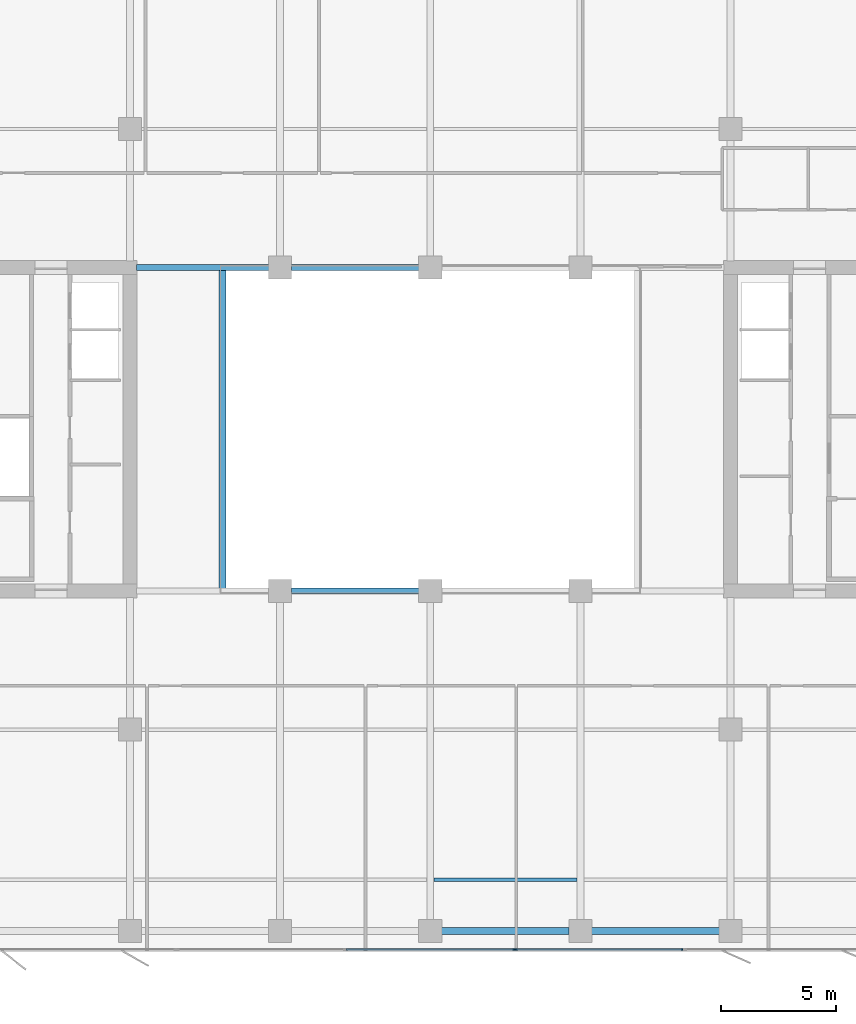
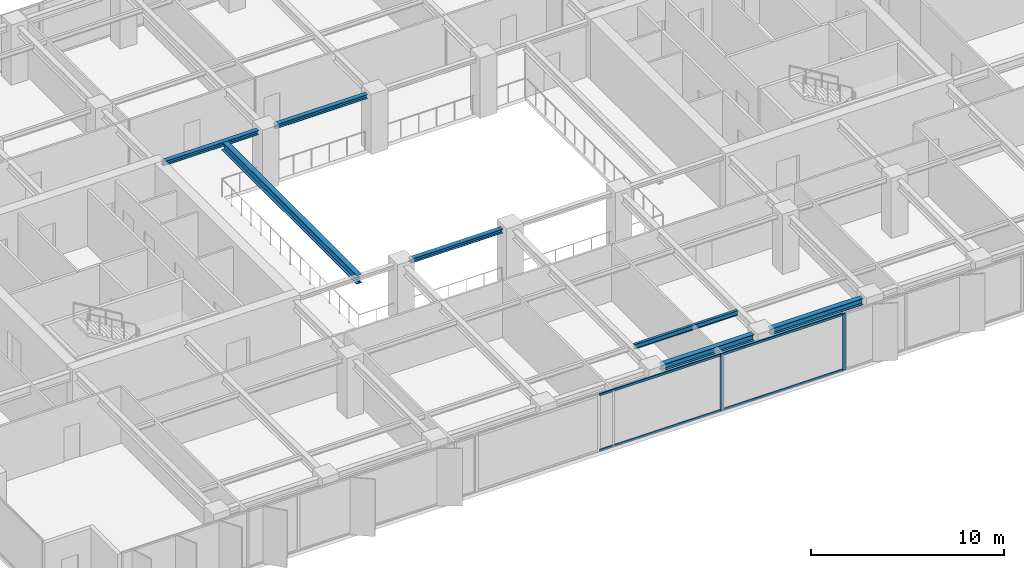
# One storey, part 5 of 22: 7 beams, 6 members, 1 element without a shape of its own.
"""IFC4 building model written with IfcOpenShell, lengths in metres."""

from ifc_helpers import new_model, si_unit, direction, frame, origin, origin_2d, place, context, subcontext, project, spatial, rectangle, i_section, extrude, material, layer, layer_set, material_profile, profile_set, type_object, element, aggregate, save


model = new_model("IFC4")

# Units and contexts
model_context = context("Model", 3, precision=1e-05, world=origin(), true_north=direction((0.0, 1.0)))
body_context = subcontext(model_context, "Body", "Model", "MODEL_VIEW")
ifc_project = project(units=[si_unit("LENGTHUNIT", "METRE"), si_unit("AREAUNIT", "SQUARE_METRE"), si_unit("VOLUMEUNIT", "CUBIC_METRE"), si_unit("PLANEANGLEUNIT", "RADIAN"), si_unit("MASSUNIT", "GRAM", prefix="KILO")], contexts=[model_context])

# Site, building, storey
site_placement = place(None, origin())
site = spatial("IfcSite", under=ifc_project, at=site_placement, CompositionType="ELEMENT")
building_placement = place(site_placement, origin())
building = spatial("IfcBuilding", under=site, at=building_placement, Name="Putna Gate Headquarters", CompositionType="ELEMENT")
storey_placement = place(building_placement, frame((0.0, 0.0, 170.800048828125)))
storey = spatial("IfcBuildingStorey", under=building, at=storey_placement, Name="L42", CompositionType="ELEMENT", Elevation=170.800048828125)

# Beams
ifc_material_1 = material(Name="Steel S355J2", Category="steel")
ifc_material_profile_1 = material_profile(ifc_material_1, i_section(OverallWidth=0.260009765625, OverallDepth=0.260009765625, WebThickness=0.010009765625, FlangeThickness=0.017578125, at=origin_2d()), Name="Steel S355J2")
ifc_profile_set_1 = profile_set([ifc_material_profile_1], Name="Steel S355J2")
beam_type_1 = type_object("IfcBeamType", Name="BM-ATRIUM-HEB260", PredefinedType="BEAM", material=ifc_profile_set_1)
beam_1_placement = place(storey_placement, frame((32.988037109375, 19.0, 3.44189453125), z_axis=(1.0, 0.0, 0.0), x_axis=(0.0, 1.0, 0.0)))
element("IfcBeam", 1, at=beam_1_placement, inside=storey, type_object=beam_type_1, Name="L42 Atrium Edge Beam AS2", PredefinedType="BEAM", context=body_context, shape_type="SweptSolid", body=[
    extrude(i_section(OverallWidth=0.260009765625, OverallDepth=0.260009765625, WebThickness=0.010009765625, FlangeThickness=0.017578125, at=origin_2d()), origin(), (0.0, 0.0, 1.0), 5.52392578125),
])
beam_2_placement = place(storey_placement, frame((26.284912109375, 33.0, 3.44189453125), z_axis=(1.0, 0.0, 0.0), x_axis=(0.0, 1.0, 0.0)))
element("IfcBeam", 2, at=beam_2_placement, inside=storey, type_object=beam_type_1, Name="L42 Atrium Edge Beam AN1", PredefinedType="BEAM", context=body_context, shape_type="SweptSolid", body=[
    extrude(i_section(OverallWidth=0.260009765625, OverallDepth=0.260009765625, WebThickness=0.010009765625, FlangeThickness=0.017578125, at=origin_2d()), origin(), (0.0, 0.0, 1.0), 5.72705078125),
])
beam_3_placement = place(storey_placement, frame((32.988037109375, 33.0, 3.44189453125), z_axis=(1.0, 0.0, 0.0), x_axis=(0.0, 1.0, 0.0)))
element("IfcBeam", 3, at=beam_3_placement, inside=storey, type_object=beam_type_1, Name="L42 Atrium Edge Beam AN2", PredefinedType="BEAM", context=body_context, shape_type="SweptSolid", body=[
    extrude(i_section(OverallWidth=0.260009765625, OverallDepth=0.260009765625, WebThickness=0.010009765625, FlangeThickness=0.017578125, at=origin_2d()), origin(), (0.0, 0.0, 1.0), 5.52392578125),
])
ifc_material_profile_2 = material_profile(ifc_material_1, i_section(OverallWidth=0.300048828125, OverallDepth=0.550048828125, WebThickness=0.014892578125, FlangeThickness=0.029052734375, at=origin_2d()), Name="Steel S355J2")
ifc_profile_set_2 = profile_set([ifc_material_profile_2], Name="Steel S355J2")
beam_type_2 = type_object("IfcBeamType", Name="BM-GIRD-Z3-HEB550", PredefinedType="USERDEFINED", material=ifc_profile_set_2)
beam_4_placement = place(storey_placement, frame((30.0, 19.010009765625, 3.296875), z_axis=(0.0, 1.0, 0.0), x_axis=(-1.0, 0.0, 0.0)))
element("IfcBeam", 4, at=beam_4_placement, inside=storey, type_object=beam_type_2, Name="L42 Atrium Trim Girder AW", ObjectType="GIRDER", PredefinedType="USERDEFINED", context=body_context, shape_type="SweptSolid", body=[
    extrude(i_section(OverallWidth=0.300048828125, OverallDepth=0.550048828125, WebThickness=0.014892578125, FlangeThickness=0.029052734375, at=origin_2d()), origin(), (0.0, 0.0, 1.0), 13.97998046875),
])
ifc_material_profile_3 = material_profile(ifc_material_1, i_section(OverallWidth=0.14990234375, OverallDepth=0.300048828125, WebThickness=0.007080078125, FlangeThickness=0.0107421875, at=origin_2d()), Name="Steel S355J2")
ifc_profile_set_3 = profile_set([ifc_material_profile_3], Name="Steel S355J2")
beam_type_3 = type_object("IfcBeamType", Name="BM-SEC-Z3-IPE300", PredefinedType="JOIST", material=ifc_profile_set_3)
beam_5_placement = place(storey_placement, frame((39.154052734375, 6.5, 3.421875), z_axis=(1.0, 0.0, 0.0), x_axis=(0.0, 1.0, 0.0)))
element("IfcBeam", 5, at=beam_5_placement, inside=storey, type_object=beam_type_3, Name="L42 South Secondary Beam 5", PredefinedType="JOIST", context=body_context, shape_type="SweptSolid", body=[
    extrude(i_section(OverallWidth=0.14990234375, OverallDepth=0.300048828125, WebThickness=0.007080078125, FlangeThickness=0.0107421875, at=origin_2d()), origin(), (0.0, 0.0, 1.0), 6.19189453125),
])
ifc_material_profile_4 = material_profile(ifc_material_1, i_section(OverallWidth=0.300048828125, OverallDepth=0.39990234375, WebThickness=0.013427734375, FlangeThickness=0.02392578125, at=origin_2d()), Name="Steel S355J2")
ifc_profile_set_4 = profile_set([ifc_material_profile_4], Name="Steel S355J2")
beam_type_4 = type_object("IfcBeamType", Name="BM-SPAN-Z3-HEB400", PredefinedType="SPANDREL", material=ifc_profile_set_4)
for number, where, z_axis, x_axis, name in (
    (6, (39.488037109375, 4.280029296875, 3.3720703125), (1.0, 0.0, 0.0), (0.0, 1.0, 0.0), "L42 S Perimeter Spandrel 5"),
    (7, (45.988037109375, 4.280029296875, 3.3720703125), (1.0, 0.0, 0.0), (0.0, 1.0, 0.0), "L42 S Perimeter Spandrel 6"),
):
    element("IfcBeam", number, at=place(storey_placement, frame(where, z_axis=z_axis, x_axis=x_axis)), inside=storey, type_object=beam_type_4, Name=name, PredefinedType="SPANDREL", context=body_context, shape_type="SweptSolid", body=[
        extrude(i_section(OverallWidth=0.300048828125, OverallDepth=0.39990234375, WebThickness=0.013427734375, FlangeThickness=0.02392578125, at=origin_2d()), origin(), (0.0, 0.0, 1.0), 5.52392578125),
    ])

# Curtain wall, members
ifc_material_2 = material(Name="Anodised bronze aluminium curtain wall", Category="aluminium")
ifc_layer = layer(ifc_material_2, 0.179931640625)
ifc_layer_set = layer_set([ifc_layer], Name="Anodised bronze aluminium curtain wall")
curtain_wall_type = type_object("IfcCurtainWallType", Name="CW-SYS-ATR", PredefinedType="USERDEFINED", material=ifc_layer_set)
curtain_wall_placement = place(storey_placement, origin())
curtain_wall = element("IfcCurtainWall", 8, at=curtain_wall_placement, inside=storey, type_object=curtain_wall_type, Name="L42 South Atrium Clear Glazing", ObjectType="ATRIUM GLAZING", PredefinedType="USERDEFINED")
ifc_material_3 = material(Name="Anodised bronze aluminium EN AW-6060", Category="aluminium")
ifc_material_profile_5 = material_profile(ifc_material_3, rectangle(XDim=0.070068359375, YDim=0.179931640625, at=origin_2d()), Name="Anodised bronze aluminium EN AW-6060")
ifc_profile_set_5 = profile_set([ifc_material_profile_5], Name="Anodised bronze aluminium EN AW-6060")
member_type_1 = type_object("IfcMemberType", Name="MULL-CWM-AT", PredefinedType="MULLION", material=ifc_profile_set_5)
member_1_placement = place(storey_placement, frame((42.666748046875, 3.47998046875, 0.0), z_axis=(0.0, 0.0, 1.0), x_axis=(0.0, 1.0, 0.0)))
member_1 = element("IfcMember", 9, at=member_1_placement, type_object=member_type_1, Name="CWS-AT mullion 3", PredefinedType="MULLION", context=body_context, shape_type="SweptSolid", body=[
    extrude(rectangle(XDim=0.070068359375, YDim=0.179931640625, at=origin_2d()), origin(), (0.0, 0.0, 1.0), 3.572021484375),
])
member_2_placement = place(storey_placement, frame((49.965087890625, 3.47998046875, 0.0), z_axis=(0.0, 0.0, 1.0), x_axis=(0.0, 1.0, 0.0)))
member_2 = element("IfcMember", 10, at=member_2_placement, type_object=member_type_1, Name="CWS-AT mullion 4", PredefinedType="MULLION", context=body_context, shape_type="SweptSolid", body=[
    extrude(rectangle(XDim=0.070068359375, YDim=0.179931640625, at=origin_2d()), origin(), (0.0, 0.0, 1.0), 3.572021484375),
])
ifc_material_profile_6 = material_profile(ifc_material_3, rectangle(XDim=0.070068359375, YDim=0.139892578125, at=origin_2d()), Name="Anodised bronze aluminium EN AW-6060")
ifc_profile_set_6 = profile_set([ifc_material_profile_6], Name="Anodised bronze aluminium EN AW-6060")
member_type_2 = type_object("IfcMemberType", Name="TRAN-CWT-AT", PredefinedType="USERDEFINED", material=ifc_profile_set_6)
member_3_placement = place(storey_placement, frame((35.368408203125, 3.47998046875, 0.034912109375), z_axis=(1.0, 0.0, 0.0), x_axis=(0.0, 1.0, 0.0)))
member_3 = element("IfcMember", 11, at=member_3_placement, type_object=member_type_2, Name="CWS-AT transom 2.1", ObjectType="TRANSOM", PredefinedType="USERDEFINED", context=body_context, shape_type="SweptSolid", body=[
    extrude(rectangle(XDim=0.070068359375, YDim=0.139892578125, at=origin_2d()), origin(), (0.0, 0.0, 1.0), 7.26318359375),
])
member_4_placement = place(storey_placement, frame((35.368408203125, 3.47998046875, 3.536865234375), z_axis=(1.0, 0.0, 0.0), x_axis=(0.0, 1.0, 0.0)))
member_4 = element("IfcMember", 12, at=member_4_placement, type_object=member_type_2, Name="CWS-AT transom 2.2", ObjectType="TRANSOM", PredefinedType="USERDEFINED", context=body_context, shape_type="SweptSolid", body=[
    extrude(rectangle(XDim=0.070068359375, YDim=0.139892578125, at=origin_2d()), origin(), (0.0, 0.0, 1.0), 7.26318359375),
])
member_5_placement = place(storey_placement, frame((42.70166015625, 3.47998046875, 0.034912109375), z_axis=(1.0, 0.0, 0.0), x_axis=(0.0, 1.0, 0.0)))
member_5 = element("IfcMember", 13, at=member_5_placement, type_object=member_type_2, Name="CWS-AT transom 3.1", ObjectType="TRANSOM", PredefinedType="USERDEFINED", context=body_context, shape_type="SweptSolid", body=[
    extrude(rectangle(XDim=0.070068359375, YDim=0.139892578125, at=origin_2d()), origin(), (0.0, 0.0, 1.0), 7.228271484375),
])
member_6_placement = place(storey_placement, frame((42.70166015625, 3.47998046875, 3.536865234375), z_axis=(1.0, 0.0, 0.0), x_axis=(0.0, 1.0, 0.0)))
member_6 = element("IfcMember", 14, at=member_6_placement, type_object=member_type_2, Name="CWS-AT transom 3.2", ObjectType="TRANSOM", PredefinedType="USERDEFINED", context=body_context, shape_type="SweptSolid", body=[
    extrude(rectangle(XDim=0.070068359375, YDim=0.139892578125, at=origin_2d()), origin(), (0.0, 0.0, 1.0), 7.228271484375),
])
aggregate(curtain_wall, [member_1, member_2, member_3, member_4, member_5, member_6])

save(model, "model.ifc")
